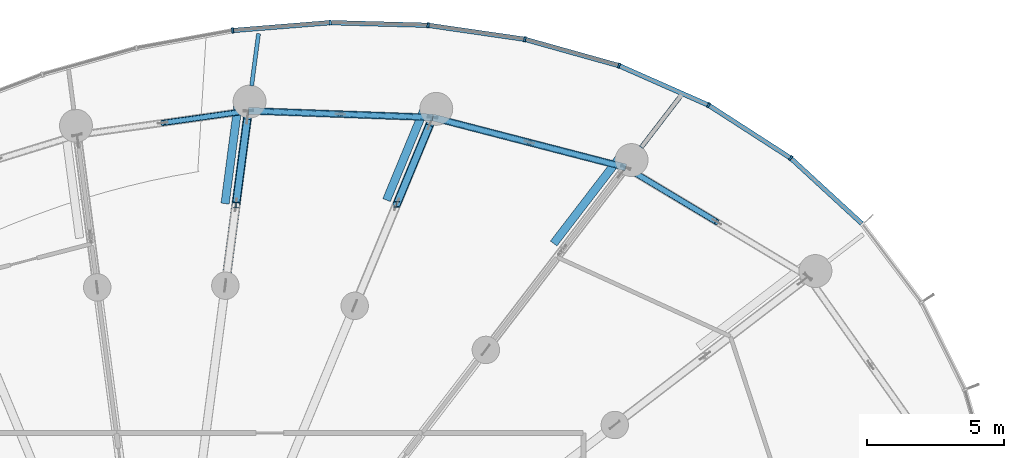
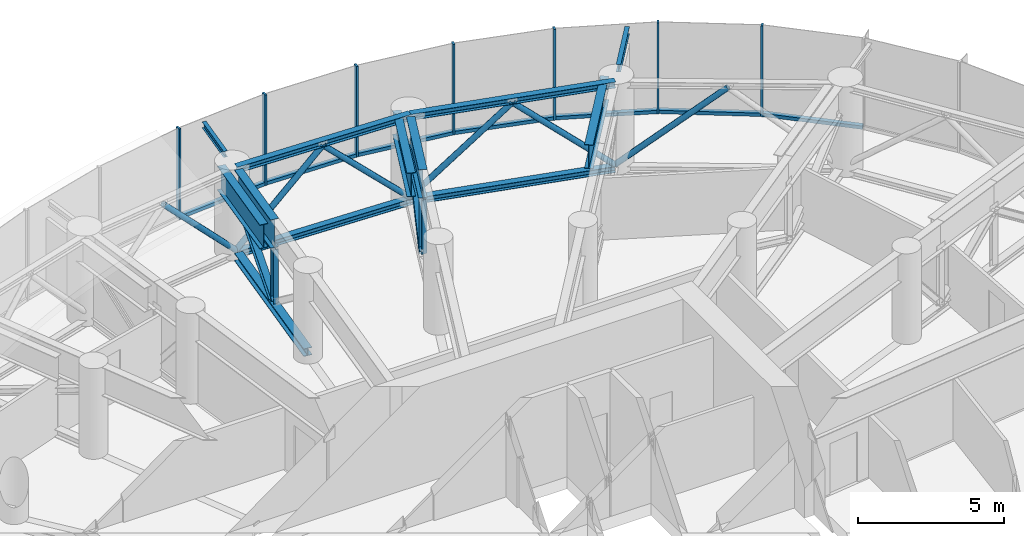
# One storey, part 12 of 33: 29 members, 7 beams, 2 elements without a shape of their own.
"""IFC4 building model written with IfcOpenShell, lengths in metres."""

from ifc_helpers import new_model, si_unit, direction, frame, origin, origin_2d, place, context, subcontext, project, spatial, rectangle, hollow_circle, i_section, extrude, source, transform, mapped, material, layer, layer_set, material_profile, profile_set, type_object, element, aggregate, save


model = new_model("IFC4")

# Units and contexts
model_context = context("Model", 3, precision=1e-05, world=origin(), true_north=direction((0.0, 1.0)))
body_context = subcontext(model_context, "Body", "Model", "MODEL_VIEW")
ifc_project = project(units=[si_unit("LENGTHUNIT", "METRE"), si_unit("AREAUNIT", "SQUARE_METRE"), si_unit("VOLUMEUNIT", "CUBIC_METRE"), si_unit("PLANEANGLEUNIT", "RADIAN"), si_unit("MASSUNIT", "GRAM", prefix="KILO")], contexts=[model_context])

# Site, building, storey
site_placement = place(None, origin())
site = spatial("IfcSite", under=ifc_project, at=site_placement, CompositionType="ELEMENT")
building_placement = place(site_placement, origin())
building = spatial("IfcBuilding", under=site, at=building_placement, Name="Spindrift Exchange Tower", CompositionType="ELEMENT")
storey_placement = place(building_placement, frame((0.0, 0.0, 129.0)))
storey = spatial("IfcBuildingStorey", under=building, at=storey_placement, Name="L30", CompositionType="ELEMENT", Elevation=129.0)

# Beams
ifc_material_1 = material(Name="Steel Grade 300", Category="steel")
ifc_material_profile_1 = material_profile(ifc_material_1, i_section(OverallWidth=0.1650390625, OverallDepth=0.303955078125, WebThickness=0.006103515625, FlangeThickness=0.01025390625, FilletRadius=0.011474609375, at=origin_2d()), Name="310UB40.4")
ifc_profile_set_1 = profile_set([ifc_material_profile_1], Name="Steel Grade 300")
beam_type_1 = type_object("IfcBeamType", Name="Cantilever Beam 310UB40.4 Steel Grade 300", PredefinedType="BEAM", material=ifc_profile_set_1)
shared_shape_1 = source(origin(), body_context, "Body", "SweptSolid", [
    extrude(i_section(OverallWidth=0.1650390625, OverallDepth=0.303955078125, WebThickness=0.006103515625, FlangeThickness=0.01025390625, FilletRadius=0.011474609375, at=origin_2d()), origin(), (0.0, 0.0, 1.0), 2.2978515625),
])
beam_1_placement = place(storey_placement, frame((69.498779296875, 70.804931640625, 3.6279296875), z_axis=(0.608786129894, 0.793334386024, 0.0), x_axis=(-0.793334386024, 0.608786129894, 0.0)))
element("IfcBeam", 1, at=beam_1_placement, inside=storey, type_object=beam_type_1, Name="L30 cantilever beam R04T", PredefinedType="BEAM", context=body_context, shape_type="MappedRepresentation", body=[
    mapped(shared_shape_1, transform((0.0, 0.0, 0.0), scale=1.0)),
])
ifc_material_profile_2 = material_profile(ifc_material_1, i_section(OverallWidth=0.14599609375, OverallDepth=0.251953125, WebThickness=0.006103515625, FlangeThickness=0.008544921875, FilletRadius=0.011962890625, at=origin_2d()), Name="250UB31.4")
ifc_profile_set_2 = profile_set([ifc_material_profile_2], Name="Steel Grade 300")
beam_type_2 = type_object("IfcBeamType", Name="Cantilever Beam 250UB31.4 Steel Grade 300", PredefinedType="BEAM", material=ifc_profile_set_2)
shared_shape_2 = source(origin(), body_context, "Body", "SweptSolid", [
    extrude(i_section(OverallWidth=0.14599609375, OverallDepth=0.251953125, WebThickness=0.006103515625, FlangeThickness=0.008544921875, FilletRadius=0.011962890625, at=origin_2d()), origin(), (0.0, 0.0, 1.0), 1.918701171875),
])
beam_2_placement = place(storey_placement, frame((55.298095703125, 73.0517578125, 3.654052734375), z_axis=(0.130546671118, 0.991442165061, 0.0), x_axis=(-0.991442165061, 0.130546671118, 0.0)))
element("IfcBeam", 2, at=beam_2_placement, inside=storey, type_object=beam_type_2, Name="L30 cantilever beam R06T", PredefinedType="BEAM", context=body_context, shape_type="MappedRepresentation", body=[
    mapped(shared_shape_2, transform((0.0, 0.0, 0.0), scale=1.0)),
])

# Members
ifc_material_profile_3 = material_profile(ifc_material_1, i_section(OverallWidth=0.202880859375, OverallDepth=0.202880859375, WebThickness=0.00732421875, FlangeThickness=0.010986328125, FilletRadius=0.012939453125, at=origin_2d()), Name="200UC46.2")
ifc_profile_set_3 = profile_set([ifc_material_profile_3], Name="Steel Grade 300")
member_type_1 = type_object("IfcMemberType", Name="Outrigger Truss Post 200UC46.2 Steel Grade 300", PredefinedType="POST", material=ifc_profile_set_3)
shared_shape_3 = source(origin(), body_context, "Body", "SweptSolid", [
    extrude(i_section(OverallWidth=0.202880859375, OverallDepth=0.202880859375, WebThickness=0.00732421875, FlangeThickness=0.010986328125, FilletRadius=0.012939453125, at=origin_2d()), origin(), (0.0, 0.0, 1.0), 2.259033203125),
])
for number, where, z_axis, x_axis, name in (
    (3, (60.5869140625, 68.73095703125, 0.321044921875), (0.0, 0.0, 1.0), (1.0, 0.0, 0.0), "L30 outrigger truss 05 post 2"),
    (4, (54.725830078125, 68.705322265625, 0.321044921875), (0.0, 0.0, 1.0), (1.0, 0.0, 0.0), "L30 outrigger truss 06 post 2"),
):
    element("IfcMember", number, at=place(storey_placement, frame(where, z_axis=z_axis, x_axis=x_axis)), inside=storey, type_object=member_type_1, Name=name, PredefinedType="POST", context=body_context, shape_type="MappedRepresentation", body=[
        mapped(shared_shape_3, transform((0.0, 0.0, 0.0), scale=1.0)),
    ])

# Beam
ifc_material_profile_4 = material_profile(ifc_material_1, i_section(OverallWidth=0.300048828125, OverallDepth=1.199951171875, WebThickness=0.011962890625, FlangeThickness=0.028076171875, at=origin_2d()), Name="1200WB249")
ifc_profile_set_4 = profile_set([ifc_material_profile_4], Name="Steel Grade 300")
beam_type_3 = type_object("IfcBeamType", Name="Outrigger Truss Transfer Girder 1200WB249 Steel Grade 300", PredefinedType="BEAM", material=ifc_profile_set_4)
shared_shape_4 = source(origin(), body_context, "Body", "SweptSolid", [
    extrude(i_section(OverallWidth=0.300048828125, OverallDepth=1.199951171875, WebThickness=0.011962890625, FlangeThickness=0.028076171875, at=origin_2d()), origin(), (0.0, 0.0, 1.0), 3.18798828125),
])
beam_3_placement = place(storey_placement, frame((60.5869140625, 68.73095703125, 3.179931640625), z_axis=(0.382678698745, 0.923881493227, 0.0), x_axis=(-0.923881493227, 0.382678698745, 0.0)))
element("IfcBeam", 5, at=beam_3_placement, inside=storey, type_object=beam_type_3, Name="L30 outrigger truss 05 top chord 3", PredefinedType="BEAM", context=body_context, shape_type="MappedRepresentation", body=[
    mapped(shared_shape_4, transform((0.0, 0.0, 0.0), scale=1.0)),
])

# Members
ifc_material_profile_5 = material_profile(ifc_material_1, i_section(OverallWidth=0.25390625, OverallDepth=0.25390625, WebThickness=0.008544921875, FlangeThickness=0.01416015625, FilletRadius=0.011962890625, at=origin_2d()), Name="250UC72.9")
ifc_profile_set_5 = profile_set([ifc_material_profile_5], Name="Steel Grade 300")
member_type_2 = type_object("IfcMemberType", Name="Outrigger Truss Diagonal 250UC72.9 Steel Grade 300", PredefinedType="BRACE", material=ifc_profile_set_5)
shared_shape_5 = source(origin(), body_context, "Body", "SweptSolid", [
    extrude(i_section(OverallWidth=0.25390625, OverallDepth=0.25390625, WebThickness=0.008544921875, FlangeThickness=0.01416015625, FilletRadius=0.011962890625, at=origin_2d()), origin(), (0.0, 0.0, 1.0), 3.9072265625),
])
member_1_placement = place(storey_placement, frame((60.5869140625, 68.73095703125, 0.321044921875), z_axis=(0.312234381656, 0.753811402901, 0.578167847401), x_axis=(-0.923881493227, 0.382678698745, 0.0)))
element("IfcMember", 6, at=member_1_placement, inside=storey, type_object=member_type_2, Name="L30 outrigger truss 05 diagonal 3", PredefinedType="BRACE", context=body_context, shape_type="MappedRepresentation", body=[
    mapped(shared_shape_5, transform((0.0, 0.0, 0.0), scale=1.0)),
])
ifc_material_profile_6 = material_profile(ifc_material_1, i_section(OverallWidth=0.30908203125, OverallDepth=0.321044921875, WebThickness=0.013916015625, FlangeThickness=0.021728515625, FilletRadius=0.0166015625, at=origin_2d()), Name="310UC137")
ifc_profile_set_6 = profile_set([ifc_material_profile_6], Name="Steel Grade 300")
member_type_3 = type_object("IfcMemberType", Name="Outrigger Truss Chord 310UC137 Steel Grade 300", PredefinedType="CHORD", material=ifc_profile_set_6)
shared_shape_6 = source(origin(), body_context, "Body", "SweptSolid", [
    extrude(i_section(OverallWidth=0.30908203125, OverallDepth=0.321044921875, WebThickness=0.013916015625, FlangeThickness=0.021728515625, FilletRadius=0.0166015625, at=origin_2d()), origin(), (0.0, 0.0, 1.0), 6.1875),
])
member_2_placement = place(storey_placement, frame((54.339111328125, 65.767333984375, 0.160400390625), z_axis=(0.130524939194, 0.991445026337, 0.0), x_axis=(-0.991445026337, 0.130524939194, 0.0)))
element("IfcMember", 7, at=member_2_placement, inside=storey, type_object=member_type_3, Name="L30 outrigger truss 06 bottom chord 2", PredefinedType="CHORD", context=body_context, shape_type="MappedRepresentation", body=[
    mapped(shared_shape_6, transform((0.0, 0.0, 0.0), scale=1.0)),
])

# Beam
shared_shape_7 = source(origin(), body_context, "Body", "SweptSolid", [
    extrude(i_section(OverallWidth=0.300048828125, OverallDepth=1.199951171875, WebThickness=0.011962890625, FlangeThickness=0.028076171875, at=origin_2d()), origin(), (0.0, 0.0, 1.0), 3.22412109375),
])
beam_4_placement = place(storey_placement, frame((54.725830078125, 68.705322265625, 3.179931640625), z_axis=(0.130546575594, 0.991442177639, 0.0), x_axis=(-0.991442177639, 0.130546575594, 0.0)))
element("IfcBeam", 8, at=beam_4_placement, inside=storey, type_object=beam_type_3, Name="L30 outrigger truss 06 top chord 3", PredefinedType="BEAM", context=body_context, shape_type="MappedRepresentation", body=[
    mapped(shared_shape_7, transform((0.0, 0.0, 0.0), scale=1.0)),
])

# Members
shared_shape_8 = source(origin(), body_context, "Body", "SweptSolid", [
    extrude(i_section(OverallWidth=0.25390625, OverallDepth=0.25390625, WebThickness=0.008544921875, FlangeThickness=0.01416015625, FilletRadius=0.011962890625, at=origin_2d()), origin(), (0.0, 0.0, 1.0), 3.936767578125),
])
member_3_placement = place(storey_placement, frame((54.725830078125, 68.705322265625, 0.321044921875), z_axis=(0.106914480121, 0.81196710454, 0.573828123296), x_axis=(-0.991442177639, 0.130546575594, 0.0)))
element("IfcMember", 9, at=member_3_placement, inside=storey, type_object=member_type_2, Name="L30 outrigger truss 06 diagonal 3", PredefinedType="BRACE", context=body_context, shape_type="MappedRepresentation", body=[
    mapped(shared_shape_8, transform((0.0, 0.0, 0.0), scale=1.0)),
])
ifc_material_2 = material(Name="Steel Grade 350", Category="steel")
ifc_material_profile_7 = material_profile(ifc_material_2, hollow_circle(Radius=0.109619140625, WallThickness=0.006103515625, at=origin_2d()), Name="219.1x6.0CHS")
ifc_profile_set_7 = profile_set([ifc_material_profile_7], Name="Steel Grade 350")
member_type_4 = type_object("IfcMemberType", Name="Belt Truss Diagonal 219.1x6.0CHS Steel Grade 350", PredefinedType="BRACE", material=ifc_profile_set_7)
shared_shape_9 = source(origin(), body_context, "Body", "SweptSolid", [
    extrude(hollow_circle(Radius=0.109619140625, WallThickness=0.006103515625, at=origin_2d()), origin(), (0.0, 0.0, 1.0), 5.06884765625),
])
member_4_placement = place(storey_placement, frame((72.258544921875, 68.083740234375, 3.52587890625), z_axis=(-0.654950173618, 0.392883406839, -0.645509797531), x_axis=(-0.514412286055, -0.857543001811, 0.0)))
element("IfcMember", 10, at=member_4_placement, inside=storey, type_object=member_type_4, Name="L30 belt truss 03 diagonal 2", PredefinedType="BRACE", context=body_context, shape_type="MappedRepresentation", body=[
    mapped(shared_shape_9, transform((0.0, 0.0, 0.0), scale=1.0)),
])
ifc_material_profile_8 = material_profile(ifc_material_1, i_section(OverallWidth=0.25390625, OverallDepth=0.25390625, WebThickness=0.008544921875, FlangeThickness=0.01416015625, FilletRadius=0.011962890625, at=origin_2d()), Name="250UC72.9")
ifc_profile_set_8 = profile_set([ifc_material_profile_8], Name="Steel Grade 300")
member_type_5 = type_object("IfcMemberType", Name="Belt Truss Chord 250UC72.9 Steel Grade 300", PredefinedType="CHORD", material=ifc_profile_set_8)
shared_shape_10 = source(origin(), body_context, "Body", "SweptSolid", [
    extrude(i_section(OverallWidth=0.25390625, OverallDepth=0.25390625, WebThickness=0.008544921875, FlangeThickness=0.01416015625, FilletRadius=0.011962890625, at=origin_2d()), origin(), (0.0, 0.0, 1.0), 7.27197265625),
])
for number, where, z_axis, x_axis, name in (
    (11, (68.938720703125, 70.0751953125, 3.653076171875), (-0.968076294162, 0.250655717434, 0.0), (-0.250655717434, -0.968076294162, 0.0), "L30 belt truss 04 top chord"),
    (12, (68.938720703125, 70.0751953125, 0.126953125), (-0.968076294162, 0.250655717434, 0.0), (-0.250655717434, -0.968076294162, 0.0), "L30 belt truss 04 bottom chord"),
):
    element("IfcMember", number, at=place(storey_placement, frame(where, z_axis=z_axis, x_axis=x_axis)), inside=storey, type_object=member_type_5, Name=name, PredefinedType="CHORD", context=body_context, shape_type="MappedRepresentation", body=[
        mapped(shared_shape_10, transform((0.0, 0.0, 0.0), scale=1.0)),
    ])
shared_shape_11 = source(origin(), body_context, "Body", "SweptSolid", [
    extrude(hollow_circle(Radius=0.109619140625, WallThickness=0.006103515625, at=origin_2d()), origin(), (0.0, 0.0, 1.0), 4.891357421875),
])
member_5_placement = place(storey_placement, frame((68.938720703125, 70.0751953125, 0.25390625), z_axis=(-0.719592906036, 0.18632450012, 0.668931409218), x_axis=(-0.250663864298, -0.968074184727, 0.0)))
element("IfcMember", 13, at=member_5_placement, inside=storey, type_object=member_type_4, Name="L30 belt truss 04 diagonal 1", PredefinedType="BRACE", context=body_context, shape_type="MappedRepresentation", body=[
    mapped(shared_shape_11, transform((0.0, 0.0, 0.0), scale=1.0)),
])
shared_shape_12 = source(origin(), body_context, "Body", "SweptSolid", [
    extrude(hollow_circle(Radius=0.109619140625, WallThickness=0.006103515625, at=origin_2d()), origin(), (0.0, 0.0, 1.0), 4.8916015625),
])
member_6_placement = place(storey_placement, frame((65.4189453125, 70.986572265625, 3.52587890625), z_axis=(-0.719616971997, 0.18631780805, -0.668907383736), x_axis=(-0.250647571082, -0.96807840339, 0.0)))
element("IfcMember", 14, at=member_6_placement, inside=storey, type_object=member_type_4, Name="L30 belt truss 04 diagonal 2", PredefinedType="BRACE", context=body_context, shape_type="MappedRepresentation", body=[
    mapped(shared_shape_12, transform((0.0, 0.0, 0.0), scale=1.0)),
])
shared_shape_13 = source(origin(), body_context, "Body", "SweptSolid", [
    extrude(i_section(OverallWidth=0.25390625, OverallDepth=0.25390625, WebThickness=0.008544921875, FlangeThickness=0.01416015625, FilletRadius=0.011962890625, at=origin_2d()), origin(), (0.0, 0.0, 1.0), 6.725341796875),
])
for number, where, z_axis, x_axis, name in (
    (15, (61.89892578125, 71.89794921875, 3.653076171875), (-0.999353991063, 0.035938844533, 0.0), (-0.035938844533, -0.999353991063, 0.0), "L30 belt truss 05 top chord"),
    (16, (61.89892578125, 71.89794921875, 0.126953125), (-0.999353991063, 0.035938844533, 0.0), (-0.035938844533, -0.999353991063, 0.0), "L30 belt truss 05 bottom chord"),
):
    element("IfcMember", number, at=place(storey_placement, frame(where, z_axis=z_axis, x_axis=x_axis)), inside=storey, type_object=member_type_5, Name=name, PredefinedType="CHORD", context=body_context, shape_type="MappedRepresentation", body=[
        mapped(shared_shape_13, transform((0.0, 0.0, 0.0), scale=1.0)),
    ])
shared_shape_14 = source(origin(), body_context, "Body", "SweptSolid", [
    extrude(hollow_circle(Radius=0.109619140625, WallThickness=0.006103515625, at=origin_2d()), origin(), (0.0, 0.0, 1.0), 4.691650390625),
])
member_7_placement = place(storey_placement, frame((61.89892578125, 71.89794921875, 0.25390625), z_axis=(-0.716227993223, 0.025757981448, 0.697390843154), x_axis=(-0.035940148385, -0.999353944173, 0.0)))
element("IfcMember", 17, at=member_7_placement, inside=storey, type_object=member_type_4, Name="L30 belt truss 05 diagonal 1", PredefinedType="BRACE", context=body_context, shape_type="MappedRepresentation", body=[
    mapped(shared_shape_14, transform((0.0, 0.0, 0.0), scale=1.0)),
])
shared_shape_15 = source(origin(), body_context, "Body", "SweptSolid", [
    extrude(hollow_circle(Radius=0.109619140625, WallThickness=0.006103515625, at=origin_2d()), origin(), (0.0, 0.0, 1.0), 4.69189453125),
])
member_8_placement = place(storey_placement, frame((58.53857421875, 72.018798828125, 3.52587890625), z_axis=(-0.716253334406, 0.02575702147, -0.697364851995), x_axis=(-0.035937540776, -0.999354037948, 0.0)))
element("IfcMember", 18, at=member_8_placement, inside=storey, type_object=member_type_4, Name="L30 belt truss 05 diagonal 2", PredefinedType="BRACE", context=body_context, shape_type="MappedRepresentation", body=[
    mapped(shared_shape_15, transform((0.0, 0.0, 0.0), scale=1.0)),
])
shared_shape_16 = source(origin(), body_context, "Body", "SweptSolid", [
    extrude(hollow_circle(Radius=0.109619140625, WallThickness=0.006103515625, at=origin_2d()), origin(), (0.0, 0.0, 1.0), 4.54248046875),
])
member_9_placement = place(storey_placement, frame((55.177978515625, 72.1396484375, 0.25390625), z_axis=(-0.686830151405, -0.097012944932, 0.720314397772), x_axis=(0.139859097403, -0.990171415904, 0.0)))
element("IfcMember", 19, at=member_9_placement, inside=storey, type_object=member_type_4, Name="L30 belt truss 06 diagonal 1", PredefinedType="BRACE", context=body_context, shape_type="MappedRepresentation", body=[
    mapped(shared_shape_16, transform((0.0, 0.0, 0.0), scale=1.0)),
])

# Beams
ifc_material_profile_9 = material_profile(ifc_material_1, i_section(OverallWidth=0.300048828125, OverallDepth=1.0, WebThickness=0.010009765625, FlangeThickness=0.02001953125, at=origin_2d()), Name="1000WB215")
ifc_profile_set_9 = profile_set([ifc_material_profile_9], Name="Steel Grade 300")
beam_type_4 = type_object("IfcBeamType", Name="Transfer Tie Beam 1000WB215 Steel Grade 300", PredefinedType="BEAM", material=ifc_profile_set_9)
shared_shape_17 = source(origin(), body_context, "Body", "SweptSolid", [
    extrude(i_section(OverallWidth=0.300048828125, OverallDepth=1.0, WebThickness=0.010009765625, FlangeThickness=0.02001953125, at=origin_2d()), origin(), (0.0, 0.0, 1.0), 4.14111328125),
])
beam_5_placement = place(storey_placement, frame((68.82861328125, 70.58837890625, 3.179931640625), z_axis=(-0.608764424347, -0.793351041878, 0.0), x_axis=(0.793351041878, -0.608764424347, 0.0)))
element("IfcBeam", 20, at=beam_5_placement, inside=storey, type_object=beam_type_4, Name="L30 transfer tie beam K04", PredefinedType="BEAM", context=body_context, shape_type="MappedRepresentation", body=[
    mapped(shared_shape_17, transform((0.0, 0.0, 0.0), scale=1.0)),
])
shared_shape_18 = source(origin(), body_context, "Body", "SweptSolid", [
    extrude(i_section(OverallWidth=0.300048828125, OverallDepth=1.0, WebThickness=0.010009765625, FlangeThickness=0.02001953125, at=origin_2d()), origin(), (0.0, 0.0, 1.0), 3.76806640625),
])
beam_6_placement = place(storey_placement, frame((61.659423828125, 72.365234375, 3.179931640625), z_axis=(-0.382723737648, -0.923862836486, 0.0), x_axis=(0.923862836486, -0.382723737648, 0.0)))
element("IfcBeam", 21, at=beam_6_placement, inside=storey, type_object=beam_type_4, Name="L30 transfer tie beam K05", PredefinedType="BEAM", context=body_context, shape_type="MappedRepresentation", body=[
    mapped(shared_shape_18, transform((0.0, 0.0, 0.0), scale=1.0)),
])
shared_shape_19 = source(origin(), body_context, "Body", "SweptSolid", [
    extrude(i_section(OverallWidth=0.300048828125, OverallDepth=1.0, WebThickness=0.010009765625, FlangeThickness=0.02001953125, at=origin_2d()), origin(), (0.0, 0.0, 1.0), 3.803955078125),
])
beam_7_placement = place(storey_placement, frame((54.82568359375, 72.529052734375, 3.179931640625), z_axis=(-0.130477755362, -0.991451237003, 0.0), x_axis=(0.991451237003, -0.130477755362, 0.0)))
element("IfcBeam", 22, at=beam_7_placement, inside=storey, type_object=beam_type_4, Name="L30 transfer tie beam K06", PredefinedType="BEAM", context=body_context, shape_type="MappedRepresentation", body=[
    mapped(shared_shape_19, transform((0.0, 0.0, 0.0), scale=1.0)),
])

# Curtain wall, member
ifc_material_3 = material(Name="Fritted laminated glass with bronze frame", Category="glass")
ifc_layer = layer(ifc_material_3, 0.18994140625)
ifc_layer_set = layer_set([ifc_layer], Name="ZONE 2 BRONZE FRITTED WALL")
curtain_wall_type = type_object("IfcCurtainWallType", Name="ZONE 2 BRONZE FRITTED WALL", PredefinedType="NOTDEFINED", material=ifc_layer_set)
curtain_wall_1_placement = place(storey_placement, origin())
curtain_wall_1 = element("IfcCurtainWall", 23, at=curtain_wall_1_placement, inside=storey, type_object=curtain_wall_type, Name="L30 Zone 2 Bronze Fritted Wall run 2", PredefinedType="NOTDEFINED")
ifc_material_4 = material(Name="Bronze anodised aluminium", Category="aluminium")
ifc_material_profile_10 = material_profile(ifc_material_4, rectangle(XDim=0.169921875, YDim=0.139892578125, at=origin_2d()), Name="ZONE 2 BRONZE FRITTED WALL TRANSOM 170X140")
ifc_profile_set_10 = profile_set([ifc_material_profile_10], Name="Bronze anodised aluminium")
member_type_6 = type_object("IfcMemberType", Name="ZONE 2 BRONZE FRITTED WALL TRANSOM 170X140", PredefinedType="USERDEFINED", material=ifc_profile_set_10)
shared_shape_20 = source(origin(), body_context, "Body", "SweptSolid", [
    extrude(rectangle(XDim=0.169921875, YDim=0.139892578125, at=origin_2d()), origin(), (0.0, 0.0, 1.0), 3.4912109375),
])
member_10_placement = place(storey_placement, frame((58.126220703125, 75.351318359375, 0.070068359375), z_axis=(-0.996766846232, -0.080348330737, 0.0), x_axis=(0.080348330737, -0.996766846232, 0.0)))
member_10 = element("IfcMember", 24, at=member_10_placement, type_object=member_type_6, Name="L30 transom CW-2.8", ObjectType="TRANSOM", PredefinedType="USERDEFINED", context=body_context, shape_type="MappedRepresentation", body=[
    mapped(shared_shape_20, transform((0.0, 0.0, 0.0), scale=1.0)),
])

# Curtain wall, members
curtain_wall_2_placement = place(storey_placement, origin())
curtain_wall_2 = element("IfcCurtainWall", 25, at=curtain_wall_2_placement, inside=storey, type_object=curtain_wall_type, Name="L30 Zone 2 Bronze Fritted Wall run 1", PredefinedType="NOTDEFINED")
shared_shape_21 = source(origin(), body_context, "Body", "SweptSolid", [
    extrude(rectangle(XDim=0.169921875, YDim=0.139892578125, at=origin_2d()), origin(), (0.0, 0.0, 1.0), 3.48828125),
])
member_11_placement = place(storey_placement, frame((77.541015625, 68.029541015625, 0.070068359375), z_axis=(-0.736092806466, 0.676880624829, 0.0), x_axis=(-0.676880624829, -0.736092806466, 0.0)))
member_11 = element("IfcMember", 26, at=member_11_placement, type_object=member_type_6, Name="L30 transom CW-2.2", ObjectType="TRANSOM", PredefinedType="USERDEFINED", context=body_context, shape_type="MappedRepresentation", body=[
    mapped(shared_shape_21, transform((0.0, 0.0, 0.0), scale=1.0)),
])
shared_shape_22 = source(origin(), body_context, "Body", "SweptSolid", [
    extrude(rectangle(XDim=0.169921875, YDim=0.139892578125, at=origin_2d()), origin(), (0.0, 0.0, 1.0), 3.49072265625),
])
member_12_placement = place(storey_placement, frame((65.2197265625, 74.7529296875, 0.070068359375), z_axis=(-0.989667791871, 0.143379432744, 0.0), x_axis=(-0.143379432744, -0.989667791871, 0.0)))
member_12 = element("IfcMember", 27, at=member_12_placement, type_object=member_type_6, Name="L30 transom CW-2.6", ObjectType="TRANSOM", PredefinedType="USERDEFINED", context=body_context, shape_type="MappedRepresentation", body=[
    mapped(shared_shape_22, transform((0.0, 0.0, 0.0), scale=1.0)),
])

# Member
shared_shape_23 = source(origin(), body_context, "Body", "SweptSolid", [
    extrude(rectangle(XDim=0.169921875, YDim=0.139892578125, at=origin_2d()), origin(), (0.0, 0.0, 1.0), 3.490966796875),
])
member_13_placement = place(storey_placement, frame((61.690673828125, 75.259765625, 0.070068359375), z_axis=(-0.999639346706, 0.026854729896, 0.0), x_axis=(-0.026854729896, -0.999639346706, 0.0)))
member_13 = element("IfcMember", 28, at=member_13_placement, type_object=member_type_6, Name="L30 transom CW-2.7", ObjectType="TRANSOM", PredefinedType="USERDEFINED", context=body_context, shape_type="MappedRepresentation", body=[
    mapped(shared_shape_23, transform((0.0, 0.0, 0.0), scale=1.0)),
])

shared_shape_24 = source(origin(), body_context, "Body", "SweptSolid", [
    extrude(rectangle(XDim=0.169921875, YDim=0.139892578125, at=origin_2d()), origin(), (0.0, 0.0, 1.0), 3.4892578125),
])
member_14_placement = place(storey_placement, frame((71.91650390625, 72.36279296875, 0.070068359375), z_axis=(-0.914887400608, 0.403709108405, 0.0), x_axis=(-0.403709108405, -0.914887400608, 0.0)))
member_14 = element("IfcMember", 29, at=member_14_placement, type_object=member_type_6, Name="L30 transom CW-2.4", ObjectType="TRANSOM", PredefinedType="USERDEFINED", context=body_context, shape_type="MappedRepresentation", body=[
    mapped(shared_shape_24, transform((0.0, 0.0, 0.0), scale=1.0)),
])

shared_shape_25 = source(origin(), body_context, "Body", "SweptSolid", [
    extrude(rectangle(XDim=0.169921875, YDim=0.139892578125, at=origin_2d()), origin(), (0.0, 0.0, 1.0), 3.48876953125),
])
member_15_placement = place(storey_placement, frame((74.914306640625, 70.4365234375, 0.070068359375), z_axis=(-0.840384047429, 0.541991377078, 0.0), x_axis=(-0.541991377078, -0.840384047429, 0.0)))
member_15 = element("IfcMember", 30, at=member_15_placement, type_object=member_type_6, Name="L30 transom CW-2.3", ObjectType="TRANSOM", PredefinedType="USERDEFINED", context=body_context, shape_type="MappedRepresentation", body=[
    mapped(shared_shape_25, transform((0.0, 0.0, 0.0), scale=1.0)),
])

shared_shape_26 = source(origin(), body_context, "Body", "SweptSolid", [
    extrude(rectangle(XDim=0.169921875, YDim=0.139892578125, at=origin_2d()), origin(), (0.0, 0.0, 1.0), 3.489990234375),
])
member_16_placement = place(storey_placement, frame((68.65380859375, 73.796630859375, 0.070068359375), z_axis=(-0.962990896477, 0.269533918649, 0.0), x_axis=(-0.269533918649, -0.962990896477, 0.0)))
member_16 = element("IfcMember", 31, at=member_16_placement, type_object=member_type_6, Name="L30 transom CW-2.5", ObjectType="TRANSOM", PredefinedType="USERDEFINED", context=body_context, shape_type="MappedRepresentation", body=[
    mapped(shared_shape_26, transform((0.0, 0.0, 0.0), scale=1.0)),
])

ifc_material_profile_11 = material_profile(ifc_material_4, rectangle(XDim=0.074951171875, YDim=0.18994140625, at=origin_2d()), Name="ZONE 2 BRONZE FRITTED WALL MULLION 75X190")
ifc_profile_set_11 = profile_set([ifc_material_profile_11], Name="Bronze anodised aluminium")
member_type_7 = type_object("IfcMemberType", Name="ZONE 2 BRONZE FRITTED WALL MULLION 75X190", PredefinedType="MULLION", material=ifc_profile_set_11)
shared_shape_27 = source(origin(), body_context, "Body", "SweptSolid", [
    extrude(rectangle(XDim=0.074951171875, YDim=0.18994140625, at=origin_2d()), origin(), (0.0, 0.0, 1.0), 3.780029296875),
])
member_17_placement = place(storey_placement, frame((74.94580078125, 70.416015625, 0.0), z_axis=(0.0, 0.0, 1.0), x_axis=(-0.791108337336, 0.611676056911, 0.0)))
member_17 = element("IfcMember", 32, at=member_17_placement, type_object=member_type_7, Name="L30 mullion CW-2.3", PredefinedType="MULLION", context=body_context, shape_type="MappedRepresentation", body=[
    mapped(shared_shape_27, transform((0.0, 0.0, 0.0), scale=1.0)),
])

member_18_placement = place(storey_placement, frame((71.950927734375, 72.34765625, 0.0), z_axis=(0.0, 0.0, 1.0), x_axis=(-0.880353730282, 0.474317730619, 0.0)))
member_18 = element("IfcMember", 33, at=member_18_placement, type_object=member_type_7, Name="L30 mullion CW-2.4", PredefinedType="MULLION", context=body_context, shape_type="MappedRepresentation", body=[
    mapped(shared_shape_27, transform((0.0, 0.0, 0.0), scale=1.0)),
])

member_19_placement = place(storey_placement, frame((68.68994140625, 73.78662109375, 0.0), z_axis=(0.0, 0.0, 1.0), x_axis=(-0.941331460734, 0.337483452975, 0.0)))
member_19 = element("IfcMember", 34, at=member_19_placement, type_object=member_type_7, Name="L30 mullion CW-2.5", PredefinedType="MULLION", context=body_context, shape_type="MappedRepresentation", body=[
    mapped(shared_shape_27, transform((0.0, 0.0, 0.0), scale=1.0)),
])

member_20_placement = place(storey_placement, frame((65.2568359375, 74.74755859375, 0.0), z_axis=(0.0, 0.0, 1.0), x_axis=(-0.978362641411, 0.206897418764, 0.0)))
member_20 = element("IfcMember", 35, at=member_20_placement, type_object=member_type_7, Name="L30 mullion CW-2.6", PredefinedType="MULLION", context=body_context, shape_type="MappedRepresentation", body=[
    mapped(shared_shape_27, transform((0.0, 0.0, 0.0), scale=1.0)),
])

aggregate(curtain_wall_2, [member_11, member_17, member_15, member_18, member_14, member_19, member_16, member_20, member_12])

member_21_placement = place(storey_placement, frame((61.72802734375, 75.2587890625, 0.0), z_axis=(0.0, 0.0, 1.0), x_axis=(-0.996359518425, 0.085250865352, 0.0)))
member_21 = element("IfcMember", 36, at=member_21_placement, type_object=member_type_7, Name="L30 mullion CW-2.7", PredefinedType="MULLION", context=body_context, shape_type="MappedRepresentation", body=[
    mapped(shared_shape_27, transform((0.0, 0.0, 0.0), scale=1.0)),
])

member_22_placement = place(storey_placement, frame((58.16357421875, 75.3544921875, 0.0), z_axis=(0.0, 0.0, 1.0), x_axis=(-0.999640726247, -0.026803328679, 0.0)))
member_22 = element("IfcMember", 37, at=member_22_placement, type_object=member_type_7, Name="L30 mullion CW-2.8", PredefinedType="MULLION", context=body_context, shape_type="MappedRepresentation", body=[
    mapped(shared_shape_27, transform((0.0, 0.0, 0.0), scale=1.0)),
])

member_23_placement = place(storey_placement, frame((54.60888671875, 75.06787109375, 0.0), z_axis=(0.0, 0.0, 1.0), x_axis=(-0.991539540717, -0.129805004504, 0.0)))
member_23 = element("IfcMember", 38, at=member_23_placement, type_object=member_type_7, Name="L30 mullion CW-2.9", PredefinedType="MULLION", context=body_context, shape_type="MappedRepresentation", body=[
    mapped(shared_shape_27, transform((0.0, 0.0, 0.0), scale=1.0)),
])

aggregate(curtain_wall_1, [member_21, member_13, member_22, member_10, member_23])

save(model, "model.ifc")
